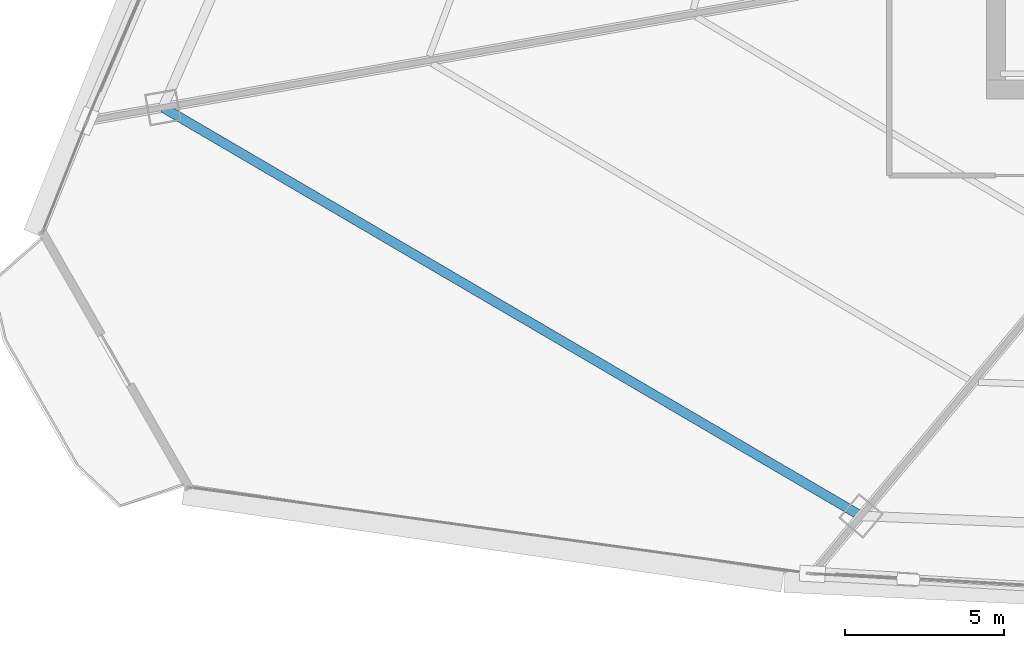
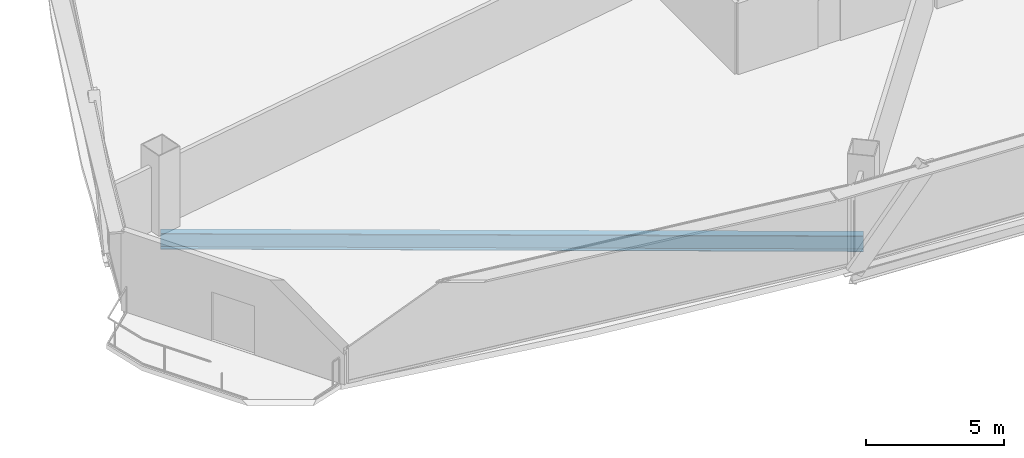
# One storey, part 5 of 38: 1 beam.
"""IFC4 building model written with IfcOpenShell, lengths in metres."""

from ifc_helpers import new_model, si_unit, direction, frame, origin, origin_2d, place, context, subcontext, project, spatial, i_section, extrude, source, transform, mapped, material, material_profile, profile_set, type_object, element, save


model = new_model("IFC4")

# Units and contexts
model_context = context("Model", 3, precision=1e-05, world=origin(), true_north=direction((0.0, 1.0)))
body_context = subcontext(model_context, "Body", "Model", "MODEL_VIEW")
ifc_project = project(units=[si_unit("LENGTHUNIT", "METRE"), si_unit("AREAUNIT", "SQUARE_METRE"), si_unit("VOLUMEUNIT", "CUBIC_METRE"), si_unit("PLANEANGLEUNIT", "RADIAN"), si_unit("MASSUNIT", "GRAM", prefix="KILO"), si_unit("THERMODYNAMICTEMPERATUREUNIT", "KELVIN"), si_unit("POWERUNIT", "WATT")], contexts=[model_context])

# Site, building, storey
site_placement = place(None, origin())
site = spatial("IfcSite", under=ifc_project, at=site_placement, CompositionType="ELEMENT")
building_placement = place(site_placement, origin())
building = spatial("IfcBuilding", under=site, at=building_placement, Name="Yunzhuo Pagoda Commons", CompositionType="ELEMENT")
storey_placement = place(building_placement, frame((0.0, 0.0, 81.179931640625)))
storey = spatial("IfcBuildingStorey", under=building, at=storey_placement, Name="L20", CompositionType="ELEMENT", Elevation=81.179931640625)

# Beam
ifc_material = material(Name="Structural steel Q355B", Category="steel")
ifc_material_profile = material_profile(ifc_material, i_section(OverallWidth=0.300048828125, OverallDepth=0.699951171875, WebThickness=0.012939453125, FlangeThickness=0.02392578125, at=origin_2d()), Name="Structural steel Q355B")
ifc_profile_set = profile_set([ifc_material_profile], Name="Structural steel Q355B")
beam_type = type_object("IfcBeamType", Name="B-RG1 Beam HN 700x300x13x24", PredefinedType="BEAM", material=ifc_profile_set)
shared_shape = source(origin(), body_context, "Body", "SweptSolid", [
    extrude(i_section(OverallWidth=0.300048828125, OverallDepth=0.699951171875, WebThickness=0.012939453125, FlangeThickness=0.02392578125, at=origin_2d()), origin(), (0.0, 0.0, 1.0), 25.3935546875),
])
beam_placement = place(storey_placement, frame((9.647216796875, 26.9375, -0.60986328125), z_axis=(0.863085207128, -0.505058338449, 0.0), x_axis=(0.505058338449, 0.863085207128, 0.0)))
element("IfcBeam", 1, at=beam_placement, inside=storey, type_object=beam_type, Name="L20 column-ring beam 12", PredefinedType="BEAM", context=body_context, shape_type="MappedRepresentation", body=[
    mapped(shared_shape, transform((0.0, 0.0, 0.0), scale=1.0)),
])

save(model, "model.ifc")
